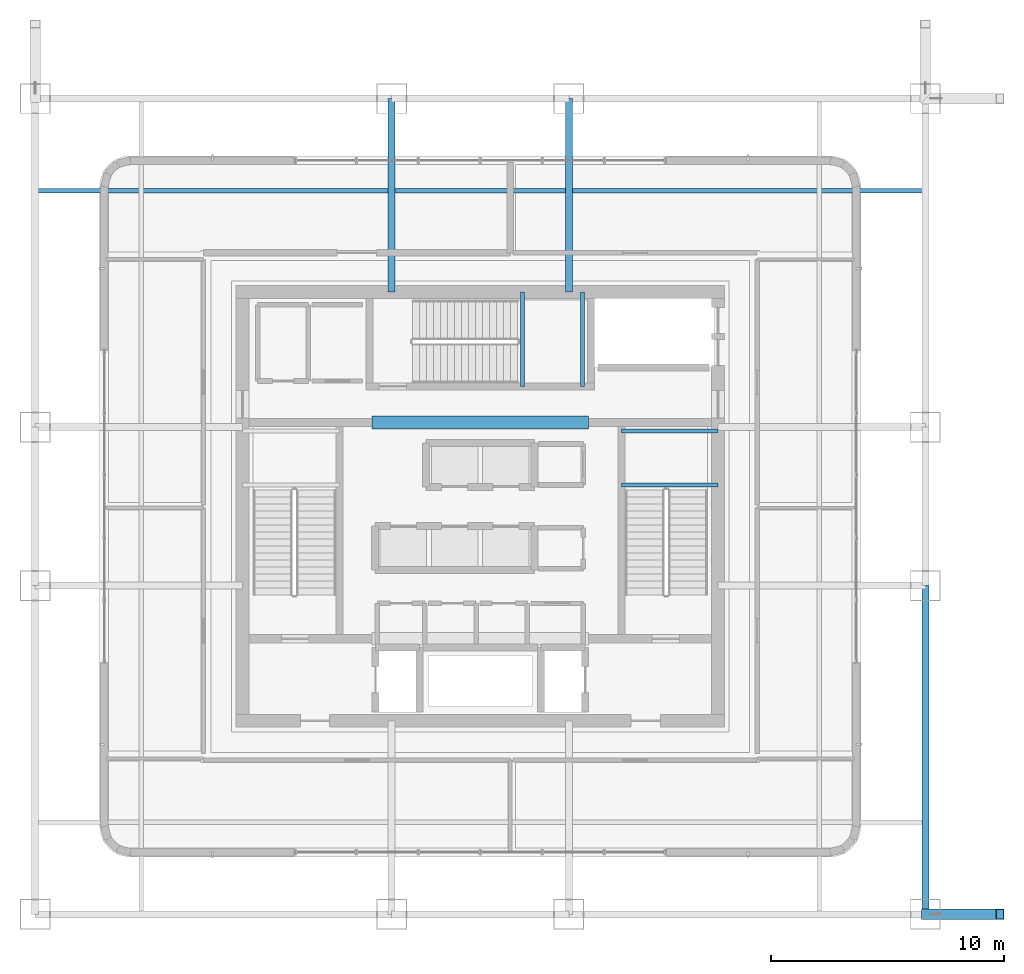
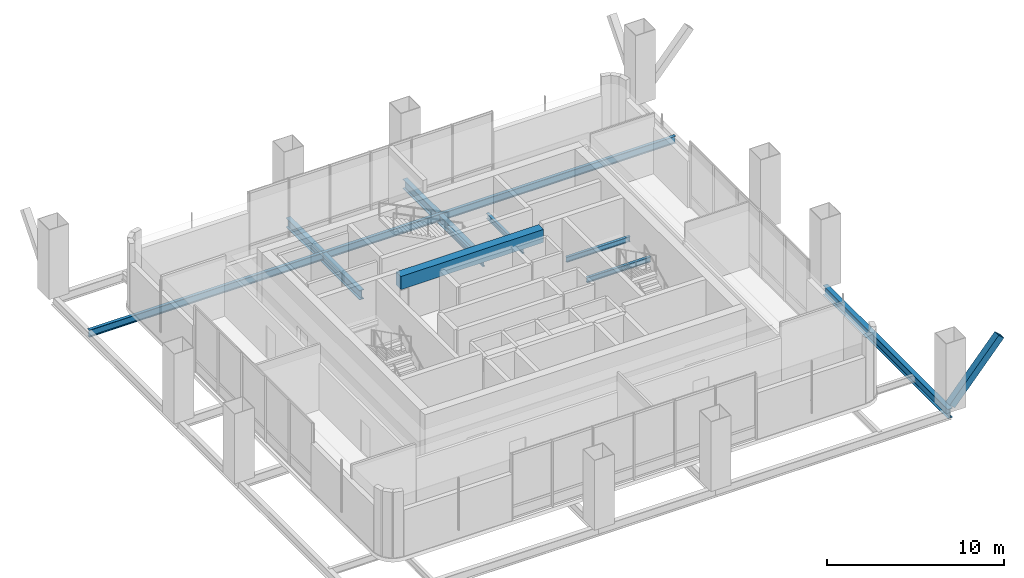
# One storey, part 11 of 33: 9 beams, 1 member.
"""IFC4 building model written with IfcOpenShell, lengths in metres."""

from ifc_helpers import new_model, si_unit, direction, frame, origin, origin_2d, place, context, subcontext, project, spatial, rectangle, hollow_rectangle, i_section, extrude, material, material_profile, profile_set, type_object, element, save


model = new_model("IFC4")

# Units and contexts
model_context = context("Model", 3, precision=1e-05, world=origin(), true_north=direction((0.0, 1.0)))
body_context = subcontext(model_context, "Body", "Model", "MODEL_VIEW")
ifc_project = project(units=[si_unit("LENGTHUNIT", "METRE"), si_unit("AREAUNIT", "SQUARE_METRE"), si_unit("VOLUMEUNIT", "CUBIC_METRE"), si_unit("PLANEANGLEUNIT", "RADIAN"), si_unit("MASSUNIT", "GRAM", prefix="KILO")], contexts=[model_context])

# Site, building, storey
site_placement = place(None, origin())
site = spatial("IfcSite", under=ifc_project, at=site_placement, CompositionType="ELEMENT")
building_placement = place(site_placement, origin())
building = spatial("IfcBuilding", under=site, at=building_placement, Name="Punatoya Terracotta Tower", CompositionType="ELEMENT")
storey_placement = place(building_placement, frame((0.0, 0.0, 246.60009765625)))
storey = spatial("IfcBuildingStorey", under=building, at=storey_placement, Name="L58", CompositionType="ELEMENT", Elevation=246.60009765625)

# Beams
ifc_material_1 = material(Name="Steel S355", Category="steel")
ifc_material_profile_1 = material_profile(ifc_material_1, i_section(OverallWidth=0.300048828125, OverallDepth=0.64990234375, WebThickness=0.01611328125, FlangeThickness=0.031005859375, FilletRadius=0.01806640625, at=origin_2d()))
ifc_profile_set_1 = profile_set([ifc_material_profile_1], Name="Steel S355")
beam_type_1 = type_object("IfcBeamType", Name="BM-PRI-650", PredefinedType="BEAM", material=ifc_profile_set_1)
beam_1_placement = place(storey_placement, frame((19.10009765625, -17.5, -0.585205078125), z_axis=(0.0, 1.0, 0.0), x_axis=(-1.0, 0.0, 0.0)))
element("IfcBeam", 1, at=beam_1_placement, inside=storey, type_object=beam_type_1, Name="BM-L58-RG-E1", PredefinedType="BEAM", context=body_context, shape_type="SweptSolid", body=[
    extrude(i_section(OverallWidth=0.300048828125, OverallDepth=0.64990234375, WebThickness=0.01611328125, FlangeThickness=0.031005859375, FilletRadius=0.01806640625, at=origin_2d()), origin(), (0.0, 0.0, 1.0), 14.10009765625),
])
for number, where, z_axis, x_axis, name in (
    (2, (-3.800048828125, 9.199951171875, -0.585205078125), (0.0, 1.0, 0.0), (-1.0, 0.0, 0.0), "BM-L58-PR-N2"),
    (3, (3.800048828125, 9.199951171875, -0.585205078125), (0.0, 1.0, 0.0), (-1.0, 0.0, 0.0), "BM-L58-PR-N3"),
):
    element("IfcBeam", number, at=place(storey_placement, frame(where, z_axis=z_axis, x_axis=x_axis)), inside=storey, type_object=beam_type_1, Name=name, PredefinedType="BEAM", context=body_context, shape_type="SweptSolid", body=[
        extrude(i_section(OverallWidth=0.300048828125, OverallDepth=0.64990234375, WebThickness=0.01611328125, FlangeThickness=0.031005859375, FilletRadius=0.01806640625, at=origin_2d()), origin(), (0.0, 0.0, 1.0), 8.300048828125),
    ])
ifc_material_2 = material(Name="Concrete C50/60", Category="concrete")
ifc_material_profile_2 = material_profile(ifc_material_2, rectangle(XDim=0.550048828125, YDim=0.89990234375, at=origin_2d()))
ifc_profile_set_2 = profile_set([ifc_material_profile_2], Name="Concrete C50/60")
beam_type_2 = type_object("IfcBeamType", Name="BM-RC-900", PredefinedType="LINTEL", material=ifc_profile_set_2)
beam_2_placement = place(storey_placement, frame((-4.64990234375, 3.60009765625, 4.06982421875), z_axis=(1.0, 0.0, 0.0), x_axis=(0.0, 1.0, 0.0)))
element("IfcBeam", 4, at=beam_2_placement, inside=storey, type_object=beam_type_2, Name="L58 Core Coupling Lintel CNW", PredefinedType="LINTEL", context=body_context, shape_type="SweptSolid", body=[
    extrude(rectangle(XDim=0.550048828125, YDim=0.89990234375, at=origin_2d()), origin(), (0.0, 0.0, 1.0), 9.2998046875),
])
ifc_material_profile_3 = material_profile(ifc_material_1, i_section(OverallWidth=0.169921875, OverallDepth=0.360107421875, WebThickness=0.008056640625, FlangeThickness=0.0126953125, FilletRadius=0.01806640625, at=origin_2d()))
ifc_profile_set_3 = profile_set([ifc_material_profile_3], Name="Steel S355")
beam_type_3 = type_object("IfcBeamType", Name="BM-SEC-360", PredefinedType="JOIST", material=ifc_profile_set_3)
for number, where, z_axis, x_axis, name in (
    (5, (6.050048828125, 0.919921875, 2.02001953125), (1.0, 0.0, 0.0), (0.0, 1.0, 0.0), "BM-L58-ST-2-LD1A"),
    (6, (6.050048828125, 3.22998046875, 2.02001953125), (1.0, 0.0, 0.0), (0.0, 1.0, 0.0), "BM-L58-ST-2-LD1B"),
):
    element("IfcBeam", number, at=place(storey_placement, frame(where, z_axis=z_axis, x_axis=x_axis)), inside=storey, type_object=beam_type_3, Name=name, PredefinedType="JOIST", context=body_context, shape_type="SweptSolid", body=[
        extrude(i_section(OverallWidth=0.169921875, OverallDepth=0.360107421875, WebThickness=0.008056640625, FlangeThickness=0.0126953125, FilletRadius=0.01806640625, at=origin_2d()), origin(), (0.0, 0.0, 1.0), 4.14990234375),
    ])
for number, where, z_axis, x_axis, name in (
    (7, (1.820068359375, 5.14990234375, 2.02001953125), (0.0, 1.0, 0.0), (-1.0, 0.0, 0.0), "BM-L58-ST-3-LD1A"),
    (8, (4.3798828125, 5.14990234375, 2.02001953125), (0.0, 1.0, 0.0), (-1.0, 0.0, 0.0), "BM-L58-ST-3-LD1B"),
):
    element("IfcBeam", number, at=place(storey_placement, frame(where, z_axis=z_axis, x_axis=x_axis)), inside=storey, type_object=beam_type_3, Name=name, PredefinedType="JOIST", context=body_context, shape_type="SweptSolid", body=[
        extrude(i_section(OverallWidth=0.169921875, OverallDepth=0.360107421875, WebThickness=0.008056640625, FlangeThickness=0.0126953125, FilletRadius=0.01806640625, at=origin_2d()), origin(), (0.0, 0.0, 1.0), 4.050048828125),
    ])
ifc_material_profile_4 = material_profile(ifc_material_1, i_section(OverallWidth=0.199951171875, OverallDepth=0.5, WebThickness=0.01025390625, FlangeThickness=0.01611328125, FilletRadius=0.01806640625, at=origin_2d()))
ifc_profile_set_4 = profile_set([ifc_material_profile_4], Name="Steel S355")
beam_type_4 = type_object("IfcBeamType", Name="BM-SPN-500", PredefinedType="SPANDREL", material=ifc_profile_set_4)
beam_3_placement = place(storey_placement, frame((-19.10009765625, 13.550048828125, -0.510009765625), z_axis=(1.0, 0.0, 0.0), x_axis=(0.0, 1.0, 0.0)))
element("IfcBeam", 9, at=beam_3_placement, inside=storey, type_object=beam_type_4, Name="BM-L58-NCK-N", PredefinedType="SPANDREL", context=body_context, shape_type="SweptSolid", body=[
    extrude(i_section(OverallWidth=0.199951171875, OverallDepth=0.5, WebThickness=0.01025390625, FlangeThickness=0.01611328125, FilletRadius=0.01806640625, at=origin_2d()), origin(), (0.0, 0.0, 1.0), 38.2001953125),
])

# Member
ifc_material_3 = material(Name="Steel S460", Category="steel")
ifc_material_profile_5 = material_profile(ifc_material_3, hollow_rectangle(XDim=0.449951171875, YDim=0.449951171875, WallThickness=0.02490234375, at=origin_2d()))
ifc_profile_set_5 = profile_set([ifc_material_profile_5], Name="Steel S460")
member_type = type_object("IfcMemberType", Name="MEM-STR-450", PredefinedType="STRUT", material=ifc_profile_set_5)
member_placement = place(storey_placement, frame((19.10009765625, -17.5, 0.02001953125), z_axis=(0.654151161257, 0.0, 0.756363839845), x_axis=(0.0, 1.0, 0.0)))
element("IfcMember", 10, at=member_placement, inside=storey, type_object=member_type, Name="L59 Cantilever Raking Knee-Strut E1", PredefinedType="STRUT", context=body_context, shape_type="SweptSolid", body=[
    extrude(hollow_rectangle(XDim=0.449951171875, YDim=0.449951171875, WallThickness=0.02490234375, at=origin_2d()), origin(), (0.0, 0.0, 1.0), 4.891845703125),
])

save(model, "model.ifc")
